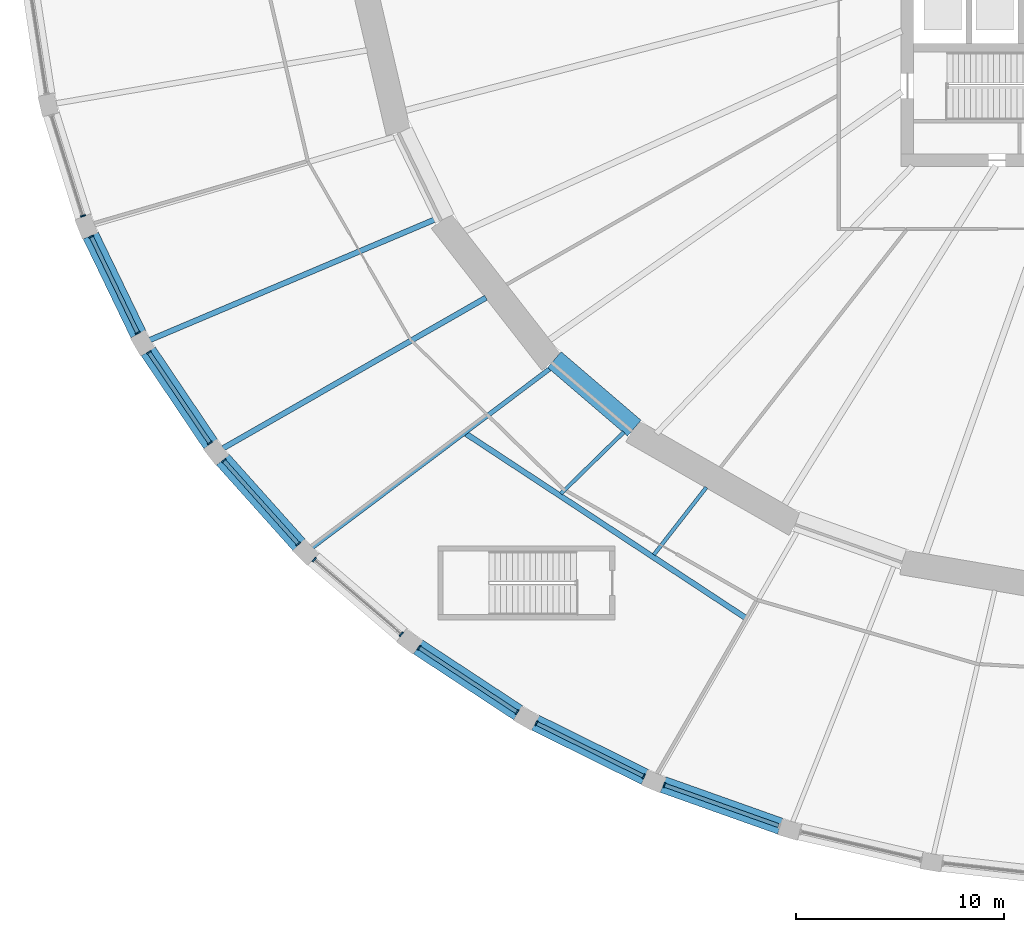
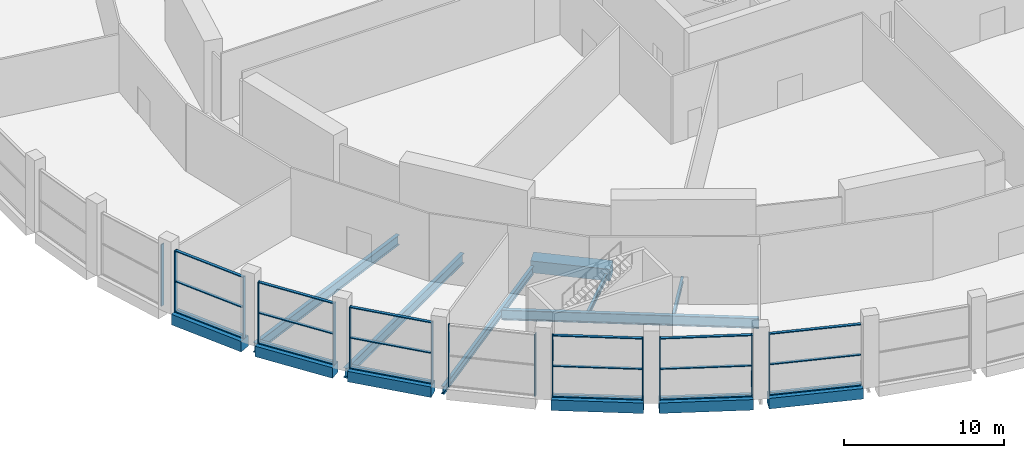
# One storey, part 2 of 29: 32 members, 13 beams, 8 elements without a shape of their own.
"""IFC4 building model written with IfcOpenShell, lengths in metres."""

from ifc_helpers import new_model, si_unit, direction, frame, origin, origin_2d, place, context, subcontext, project, spatial, rectangle, i_section, extrude, material, material_profile, profile_set, type_object, element, aggregate, save


model = new_model("IFC4")

# Units and contexts
model_context = context("Model", 3, precision=1e-05, world=origin(), true_north=direction((0.0, 1.0)))
body_context = subcontext(model_context, "Body", "Model", "MODEL_VIEW")
ifc_project = project(units=[si_unit("LENGTHUNIT", "METRE"), si_unit("AREAUNIT", "SQUARE_METRE"), si_unit("VOLUMEUNIT", "CUBIC_METRE"), si_unit("PLANEANGLEUNIT", "RADIAN"), si_unit("MASSUNIT", "GRAM", prefix="KILO")], contexts=[model_context])

# Site, building, storey
site_placement = place(None, origin())
site = spatial("IfcSite", under=ifc_project, at=site_placement, CompositionType="ELEMENT")
building_placement = place(site_placement, origin())
building = spatial("IfcBuilding", under=site, at=building_placement, Name="Halqa Exchange Tower", CompositionType="ELEMENT")
storey_placement = place(building_placement, frame((0.0, 0.0, 12.5)))
storey = spatial("IfcBuildingStorey", under=building, at=storey_placement, Name="L02", CompositionType="ELEMENT", Elevation=12.5)

# Curtain wall, member
ifc_material_1 = material(Name="Anodised aluminium and clear glass", Category="aluminium")
curtain_wall_type = type_object("IfcCurtainWallType", Name="Exchange hall glazing", PredefinedType="NOTDEFINED", material=ifc_material_1)
curtain_wall_1_placement = place(storey_placement, origin())
curtain_wall_1 = element("IfcCurtainWall", 1, at=curtain_wall_1_placement, inside=storey, type_object=curtain_wall_type, Name="Exchange hall glazing run P26", PredefinedType="NOTDEFINED")
ifc_material_2 = material(Name="Anodised aluminium", Category="aluminium")
ifc_material_profile_1 = material_profile(ifc_material_2, rectangle(XDim=0.25, YDim=0.070068359375, at=origin_2d()), Name="AL 70x250")
ifc_profile_set_1 = profile_set([ifc_material_profile_1], Name="Anodised aluminium")
member_type_1 = type_object("IfcMemberType", Name="Exchange hall glazing mullion 70 x 250", PredefinedType="MULLION", material=ifc_profile_set_1)
member_1_placement = place(storey_placement, frame((-51.293701171875, -14.3720703125, 0.0), z_axis=(0.0, 0.0, 1.0), x_axis=(0.95447130463, 0.298302746613, 0.0)))
member_1 = element("IfcMember", 2, at=member_1_placement, type_object=member_type_1, Name="P26 mullion 2", PredefinedType="MULLION", context=body_context, shape_type="SweptSolid", body=[
    extrude(rectangle(XDim=0.25, YDim=0.070068359375, at=origin_2d()), origin(), (0.0, 0.0, 1.0), 4.699951171875),
])
aggregate(curtain_wall_1, [member_1])

# Curtain wall, members
curtain_wall_2_placement = place(storey_placement, origin())
curtain_wall_2 = element("IfcCurtainWall", 3, at=curtain_wall_2_placement, inside=storey, type_object=curtain_wall_type, Name="Exchange hall glazing run P27", PredefinedType="NOTDEFINED")
member_2_placement = place(storey_placement, frame((-50.9013671875, -15.3642578125, 0.0), z_axis=(0.0, 0.0, 1.0), x_axis=(0.90043534892, 0.434989864727, 0.0)))
member_2 = element("IfcMember", 4, at=member_2_placement, type_object=member_type_1, Name="P27 mullion 1", PredefinedType="MULLION", context=body_context, shape_type="SweptSolid", body=[
    extrude(rectangle(XDim=0.25, YDim=0.070068359375, at=origin_2d()), origin(), (0.0, 0.0, 1.0), 4.699951171875),
])
member_3_placement = place(storey_placement, frame((-48.663818359375, -19.996337890625, 0.0), z_axis=(0.0, 0.0, 1.0), x_axis=(0.90043534892, 0.434989864727, 0.0)))
member_3 = element("IfcMember", 5, at=member_3_placement, type_object=member_type_1, Name="P27 mullion 2", PredefinedType="MULLION", context=body_context, shape_type="SweptSolid", body=[
    extrude(rectangle(XDim=0.25, YDim=0.070068359375, at=origin_2d()), origin(), (0.0, 0.0, 1.0), 4.699951171875),
])

curtain_wall_3_placement = place(storey_placement, origin())
curtain_wall_3 = element("IfcCurtainWall", 6, at=curtain_wall_3_placement, inside=storey, type_object=curtain_wall_type, Name="Exchange hall glazing run P28", PredefinedType="NOTDEFINED")
member_4_placement = place(storey_placement, frame((-48.13232421875, -20.921630859375, 0.0), z_axis=(0.0, 0.0, 1.0), x_axis=(0.8294895023, 0.55852230535, 0.0)))
member_4 = element("IfcMember", 7, at=member_4_placement, type_object=member_type_1, Name="P28 mullion 1", PredefinedType="MULLION", context=body_context, shape_type="SweptSolid", body=[
    extrude(rectangle(XDim=0.25, YDim=0.070068359375, at=origin_2d()), origin(), (0.0, 0.0, 1.0), 4.699951171875),
])
member_5_placement = place(storey_placement, frame((-45.1982421875, -25.279052734375, 0.0), z_axis=(0.0, 0.0, 1.0), x_axis=(0.8294895023, 0.55852230535, 0.0)))
member_5 = element("IfcMember", 8, at=member_5_placement, type_object=member_type_1, Name="P28 mullion 2", PredefinedType="MULLION", context=body_context, shape_type="SweptSolid", body=[
    extrude(rectangle(XDim=0.25, YDim=0.070068359375, at=origin_2d()), origin(), (0.0, 0.0, 1.0), 4.699951171875),
])

curtain_wall_4_placement = place(storey_placement, origin())
curtain_wall_4 = element("IfcCurtainWall", 9, at=curtain_wall_4_placement, inside=storey, type_object=curtain_wall_type, Name="Exchange hall glazing run P29", PredefinedType="NOTDEFINED")
member_6_placement = place(storey_placement, frame((-44.542724609375, -26.12158203125, 0.0), z_axis=(0.0, 0.0, 1.0), x_axis=(0.74514769466, 0.666899477539, 0.0)))
member_6 = element("IfcMember", 10, at=member_6_placement, type_object=member_type_1, Name="P29 mullion 1", PredefinedType="MULLION", context=body_context, shape_type="SweptSolid", body=[
    extrude(rectangle(XDim=0.25, YDim=0.070068359375, at=origin_2d()), origin(), (0.0, 0.0, 1.0), 4.699951171875),
])
member_7_placement = place(storey_placement, frame((-40.9560546875, -30.12890625, 0.0), z_axis=(0.0, 0.0, 1.0), x_axis=(0.74514769466, 0.666899477539, 0.0)))
member_7 = element("IfcMember", 11, at=member_7_placement, type_object=member_type_1, Name="P29 mullion 2", PredefinedType="MULLION", context=body_context, shape_type="SweptSolid", body=[
    extrude(rectangle(XDim=0.25, YDim=0.070068359375, at=origin_2d()), origin(), (0.0, 0.0, 1.0), 4.699951171875),
])

curtain_wall_5_placement = place(storey_placement, origin())
curtain_wall_5 = element("IfcCurtainWall", 12, at=curtain_wall_5_placement, inside=storey, type_object=curtain_wall_type, Name="Exchange hall glazing run P30", PredefinedType="NOTDEFINED")
member_8_placement = place(storey_placement, frame((-40.193115234375, -30.8759765625, 0.0), z_axis=(0.0, 0.0, 1.0), x_axis=(0.650910929175, 0.759154109704, 0.0)))
member_8 = element("IfcMember", 13, at=member_8_placement, type_object=member_type_1, Name="P30 mullion 1", PredefinedType="MULLION", context=body_context, shape_type="SweptSolid", body=[
    extrude(rectangle(XDim=0.25, YDim=0.070068359375, at=origin_2d()), origin(), (0.0, 0.0, 1.0), 4.699951171875),
])
member_9_placement = place(storey_placement, frame((-36.010986328125, -34.4619140625, 0.0), z_axis=(0.0, 0.0, 1.0), x_axis=(0.650910929175, 0.759154109704, 0.0)))
member_9 = element("IfcMember", 14, at=member_9_placement, type_object=member_type_1, Name="P30 mullion 2", PredefinedType="MULLION", context=body_context, shape_type="SweptSolid", body=[
    extrude(rectangle(XDim=0.25, YDim=0.070068359375, at=origin_2d()), origin(), (0.0, 0.0, 1.0), 4.699951171875),
])
aggregate(curtain_wall_5, [member_8, member_9])

curtain_wall_6_placement = place(storey_placement, origin())
curtain_wall_6 = element("IfcCurtainWall", 15, at=curtain_wall_6_placement, inside=storey, type_object=curtain_wall_type, Name="Exchange hall glazing run P31", PredefinedType="NOTDEFINED")
member_10_placement = place(storey_placement, frame((-35.15771484375, -35.104248046875, 0.0), z_axis=(0.0, 0.0, 1.0), x_axis=(0.549620040919, 0.835414753652, 0.0)))
member_10 = element("IfcMember", 16, at=member_10_placement, type_object=member_type_1, Name="P31 mullion 1", PredefinedType="MULLION", context=body_context, shape_type="SweptSolid", body=[
    extrude(rectangle(XDim=0.25, YDim=0.070068359375, at=origin_2d()), origin(), (0.0, 0.0, 1.0), 4.699951171875),
])
member_11_placement = place(storey_placement, frame((-30.44775390625, -38.202880859375, 0.0), z_axis=(0.0, 0.0, 1.0), x_axis=(0.549620040919, 0.835414753652, 0.0)))
member_11 = element("IfcMember", 17, at=member_11_placement, type_object=member_type_1, Name="P31 mullion 2", PredefinedType="MULLION", context=body_context, shape_type="SweptSolid", body=[
    extrude(rectangle(XDim=0.25, YDim=0.070068359375, at=origin_2d()), origin(), (0.0, 0.0, 1.0), 4.699951171875),
])

curtain_wall_7_placement = place(storey_placement, origin())
curtain_wall_7 = element("IfcCurtainWall", 18, at=curtain_wall_7_placement, inside=storey, type_object=curtain_wall_type, Name="Exchange hall glazing run P32", PredefinedType="NOTDEFINED")
member_12_placement = place(storey_placement, frame((-29.521240234375, -38.734375, 0.0), z_axis=(0.0, 0.0, 1.0), x_axis=(0.443653417058, 0.896198440934, 0.0)))
member_12 = element("IfcMember", 19, at=member_12_placement, type_object=member_type_1, Name="P32 mullion 1", PredefinedType="MULLION", context=body_context, shape_type="SweptSolid", body=[
    extrude(rectangle(XDim=0.25, YDim=0.070068359375, at=origin_2d()), origin(), (0.0, 0.0, 1.0), 4.699951171875),
])
member_13_placement = place(storey_placement, frame((-24.363037109375, -41.287841796875, 0.0), z_axis=(0.0, 0.0, 1.0), x_axis=(0.443653417058, 0.896198440934, 0.0)))
member_13 = element("IfcMember", 20, at=member_13_placement, type_object=member_type_1, Name="P32 mullion 2", PredefinedType="MULLION", context=body_context, shape_type="SweptSolid", body=[
    extrude(rectangle(XDim=0.25, YDim=0.070068359375, at=origin_2d()), origin(), (0.0, 0.0, 1.0), 4.699951171875),
])

# Curtain wall, member
curtain_wall_8_placement = place(storey_placement, origin())
curtain_wall_8 = element("IfcCurtainWall", 21, at=curtain_wall_8_placement, inside=storey, type_object=curtain_wall_type, Name="Exchange hall glazing run P33", PredefinedType="NOTDEFINED")
member_14_placement = place(storey_placement, frame((-23.37939453125, -41.7041015625, 0.0), z_axis=(0.0, 0.0, 1.0), x_axis=(0.334688348326, 0.942328875444, 0.0)))
member_14 = element("IfcMember", 22, at=member_14_placement, type_object=member_type_1, Name="P33 mullion 1", PredefinedType="MULLION", context=body_context, shape_type="SweptSolid", body=[
    extrude(rectangle(XDim=0.25, YDim=0.070068359375, at=origin_2d()), origin(), (0.0, 0.0, 1.0), 4.699951171875),
])

# Member
ifc_material_profile_2 = material_profile(ifc_material_2, rectangle(XDim=0.199951171875, YDim=0.070068359375, at=origin_2d()), Name="AL 70x200")
ifc_profile_set_2 = profile_set([ifc_material_profile_2], Name="Anodised aluminium")
member_type_2 = type_object("IfcMemberType", Name="Exchange hall glazing transom 70 x 200", PredefinedType="USERDEFINED", material=ifc_profile_set_2)
member_15_placement = place(storey_placement, frame((-50.88623046875, -15.395751953125, 0.034912109375), z_axis=(0.434989893806, -0.900435334872, 0.0), x_axis=(0.900435334872, 0.434989893806, 0.0)))
member_15 = element("IfcMember", 23, at=member_15_placement, type_object=member_type_2, Name="P27 transom 1.1", ObjectType="TRANSOM", PredefinedType="USERDEFINED", context=body_context, shape_type="SweptSolid", body=[
    extrude(rectangle(XDim=0.199951171875, YDim=0.070068359375, at=origin_2d()), origin(), (0.0, 0.0, 1.0), 5.07421875),
])

member_16_placement = place(storey_placement, frame((-50.88623046875, -15.395751953125, 2.35009765625), z_axis=(0.434989893806, -0.900435334872, 0.0), x_axis=(0.900435334872, 0.434989893806, 0.0)))
member_16 = element("IfcMember", 24, at=member_16_placement, type_object=member_type_2, Name="P27 transom 1.2", ObjectType="TRANSOM", PredefinedType="USERDEFINED", context=body_context, shape_type="SweptSolid", body=[
    extrude(rectangle(XDim=0.199951171875, YDim=0.070068359375, at=origin_2d()), origin(), (0.0, 0.0, 1.0), 5.07421875),
])

member_17_placement = place(storey_placement, frame((-50.88623046875, -15.395751953125, 4.6650390625), z_axis=(0.434989893806, -0.900435334872, 0.0), x_axis=(0.900435334872, 0.434989893806, 0.0)))
member_17 = element("IfcMember", 25, at=member_17_placement, type_object=member_type_2, Name="P27 transom 1.3", ObjectType="TRANSOM", PredefinedType="USERDEFINED", context=body_context, shape_type="SweptSolid", body=[
    extrude(rectangle(XDim=0.199951171875, YDim=0.070068359375, at=origin_2d()), origin(), (0.0, 0.0, 1.0), 5.07421875),
])

aggregate(curtain_wall_2, [member_2, member_3, member_15, member_16, member_17])

member_18_placement = place(storey_placement, frame((-48.11279296875, -20.95068359375, 0.034912109375), z_axis=(0.558520359636, -0.82949081241, 0.0), x_axis=(0.82949081241, 0.558520359636, 0.0)))
member_18 = element("IfcMember", 26, at=member_18_placement, type_object=member_type_2, Name="P28 transom 1.1", ObjectType="TRANSOM", PredefinedType="USERDEFINED", context=body_context, shape_type="SweptSolid", body=[
    extrude(rectangle(XDim=0.199951171875, YDim=0.070068359375, at=origin_2d()), origin(), (0.0, 0.0, 1.0), 5.183349609375),
])

member_19_placement = place(storey_placement, frame((-48.11279296875, -20.95068359375, 2.35009765625), z_axis=(0.558520359636, -0.82949081241, 0.0), x_axis=(0.82949081241, 0.558520359636, 0.0)))
member_19 = element("IfcMember", 27, at=member_19_placement, type_object=member_type_2, Name="P28 transom 1.2", ObjectType="TRANSOM", PredefinedType="USERDEFINED", context=body_context, shape_type="SweptSolid", body=[
    extrude(rectangle(XDim=0.199951171875, YDim=0.070068359375, at=origin_2d()), origin(), (0.0, 0.0, 1.0), 5.183349609375),
])

member_20_placement = place(storey_placement, frame((-48.11279296875, -20.95068359375, 4.6650390625), z_axis=(0.558520359636, -0.82949081241, 0.0), x_axis=(0.82949081241, 0.558520359636, 0.0)))
member_20 = element("IfcMember", 28, at=member_20_placement, type_object=member_type_2, Name="P28 transom 1.3", ObjectType="TRANSOM", PredefinedType="USERDEFINED", context=body_context, shape_type="SweptSolid", body=[
    extrude(rectangle(XDim=0.199951171875, YDim=0.070068359375, at=origin_2d()), origin(), (0.0, 0.0, 1.0), 5.183349609375),
])

aggregate(curtain_wall_3, [member_4, member_5, member_18, member_19, member_20])

member_21_placement = place(storey_placement, frame((-44.519287109375, -26.147705078125, 0.034912109375), z_axis=(0.666880900978, -0.745164320074, 0.0), x_axis=(0.745164320074, 0.666880900978, 0.0)))
member_21 = element("IfcMember", 29, at=member_21_placement, type_object=member_type_2, Name="P29 transom 1.1", ObjectType="TRANSOM", PredefinedType="USERDEFINED", context=body_context, shape_type="SweptSolid", body=[
    extrude(rectangle(XDim=0.199951171875, YDim=0.070068359375, at=origin_2d()), origin(), (0.0, 0.0, 1.0), 5.30810546875),
])

member_22_placement = place(storey_placement, frame((-44.519287109375, -26.147705078125, 2.35009765625), z_axis=(0.666880900978, -0.745164320074, 0.0), x_axis=(0.745164320074, 0.666880900978, 0.0)))
member_22 = element("IfcMember", 30, at=member_22_placement, type_object=member_type_2, Name="P29 transom 1.2", ObjectType="TRANSOM", PredefinedType="USERDEFINED", context=body_context, shape_type="SweptSolid", body=[
    extrude(rectangle(XDim=0.199951171875, YDim=0.070068359375, at=origin_2d()), origin(), (0.0, 0.0, 1.0), 5.30810546875),
])

member_23_placement = place(storey_placement, frame((-44.519287109375, -26.147705078125, 4.6650390625), z_axis=(0.666880900978, -0.745164320074, 0.0), x_axis=(0.745164320074, 0.666880900978, 0.0)))
member_23 = element("IfcMember", 31, at=member_23_placement, type_object=member_type_2, Name="P29 transom 1.3", ObjectType="TRANSOM", PredefinedType="USERDEFINED", context=body_context, shape_type="SweptSolid", body=[
    extrude(rectangle(XDim=0.199951171875, YDim=0.070068359375, at=origin_2d()), origin(), (0.0, 0.0, 1.0), 5.30810546875),
])

aggregate(curtain_wall_4, [member_6, member_7, member_21, member_22, member_23])

member_24_placement = place(storey_placement, frame((-35.12841796875, -35.12353515625, 0.034912109375), z_axis=(0.835401187087, -0.549640661355, 0.0), x_axis=(0.549640661355, 0.835401187087, 0.0)))
member_24 = element("IfcMember", 32, at=member_24_placement, type_object=member_type_2, Name="P31 transom 1.1", ObjectType="TRANSOM", PredefinedType="USERDEFINED", context=body_context, shape_type="SweptSolid", body=[
    extrude(rectangle(XDim=0.199951171875, YDim=0.070068359375, at=origin_2d()), origin(), (0.0, 0.0, 1.0), 5.56787109375),
])

member_25_placement = place(storey_placement, frame((-35.12841796875, -35.12353515625, 2.35009765625), z_axis=(0.835401187087, -0.549640661355, 0.0), x_axis=(0.549640661355, 0.835401187087, 0.0)))
member_25 = element("IfcMember", 33, at=member_25_placement, type_object=member_type_2, Name="P31 transom 1.2", ObjectType="TRANSOM", PredefinedType="USERDEFINED", context=body_context, shape_type="SweptSolid", body=[
    extrude(rectangle(XDim=0.199951171875, YDim=0.070068359375, at=origin_2d()), origin(), (0.0, 0.0, 1.0), 5.56787109375),
])

member_26_placement = place(storey_placement, frame((-35.12841796875, -35.12353515625, 4.6650390625), z_axis=(0.835401187087, -0.549640661355, 0.0), x_axis=(0.549640661355, 0.835401187087, 0.0)))
member_26 = element("IfcMember", 34, at=member_26_placement, type_object=member_type_2, Name="P31 transom 1.3", ObjectType="TRANSOM", PredefinedType="USERDEFINED", context=body_context, shape_type="SweptSolid", body=[
    extrude(rectangle(XDim=0.199951171875, YDim=0.070068359375, at=origin_2d()), origin(), (0.0, 0.0, 1.0), 5.56787109375),
])

aggregate(curtain_wall_6, [member_10, member_11, member_24, member_25, member_26])

member_27_placement = place(storey_placement, frame((-29.489990234375, -38.749755859375, 0.034912109375), z_axis=(0.89618076134, -0.443689128788, 0.0), x_axis=(0.443689128788, 0.89618076134, 0.0)))
member_27 = element("IfcMember", 35, at=member_27_placement, type_object=member_type_2, Name="P32 transom 1.1", ObjectType="TRANSOM", PredefinedType="USERDEFINED", context=body_context, shape_type="SweptSolid", body=[
    extrude(rectangle(XDim=0.199951171875, YDim=0.070068359375, at=origin_2d()), origin(), (0.0, 0.0, 1.0), 5.685791015625),
])

member_28_placement = place(storey_placement, frame((-29.489990234375, -38.749755859375, 2.35009765625), z_axis=(0.89618076134, -0.443689128788, 0.0), x_axis=(0.443689128788, 0.89618076134, 0.0)))
member_28 = element("IfcMember", 36, at=member_28_placement, type_object=member_type_2, Name="P32 transom 1.2", ObjectType="TRANSOM", PredefinedType="USERDEFINED", context=body_context, shape_type="SweptSolid", body=[
    extrude(rectangle(XDim=0.199951171875, YDim=0.070068359375, at=origin_2d()), origin(), (0.0, 0.0, 1.0), 5.685791015625),
])

member_29_placement = place(storey_placement, frame((-29.489990234375, -38.749755859375, 4.6650390625), z_axis=(0.89618076134, -0.443689128788, 0.0), x_axis=(0.443689128788, 0.89618076134, 0.0)))
member_29 = element("IfcMember", 37, at=member_29_placement, type_object=member_type_2, Name="P32 transom 1.3", ObjectType="TRANSOM", PredefinedType="USERDEFINED", context=body_context, shape_type="SweptSolid", body=[
    extrude(rectangle(XDim=0.199951171875, YDim=0.070068359375, at=origin_2d()), origin(), (0.0, 0.0, 1.0), 5.685791015625),
])

aggregate(curtain_wall_7, [member_12, member_13, member_27, member_28, member_29])

member_30_placement = place(storey_placement, frame((-23.346435546875, -41.7158203125, 0.034912109375), z_axis=(0.942328600126, -0.334689123493, 0.0), x_axis=(0.334689123493, 0.942328600126, 0.0)))
member_30 = element("IfcMember", 38, at=member_30_placement, type_object=member_type_2, Name="P33 transom 1.1", ObjectType="TRANSOM", PredefinedType="USERDEFINED", context=body_context, shape_type="SweptSolid", body=[
    extrude(rectangle(XDim=0.199951171875, YDim=0.070068359375, at=origin_2d()), origin(), (0.0, 0.0, 1.0), 5.785400390625),
])

member_31_placement = place(storey_placement, frame((-23.346435546875, -41.7158203125, 2.35009765625), z_axis=(0.942328600126, -0.334689123493, 0.0), x_axis=(0.334689123493, 0.942328600126, 0.0)))
member_31 = element("IfcMember", 39, at=member_31_placement, type_object=member_type_2, Name="P33 transom 1.2", ObjectType="TRANSOM", PredefinedType="USERDEFINED", context=body_context, shape_type="SweptSolid", body=[
    extrude(rectangle(XDim=0.199951171875, YDim=0.070068359375, at=origin_2d()), origin(), (0.0, 0.0, 1.0), 5.785400390625),
])

member_32_placement = place(storey_placement, frame((-23.346435546875, -41.7158203125, 4.6650390625), z_axis=(0.942328600126, -0.334689123493, 0.0), x_axis=(0.334689123493, 0.942328600126, 0.0)))
member_32 = element("IfcMember", 40, at=member_32_placement, type_object=member_type_2, Name="P33 transom 1.3", ObjectType="TRANSOM", PredefinedType="USERDEFINED", context=body_context, shape_type="SweptSolid", body=[
    extrude(rectangle(XDim=0.199951171875, YDim=0.070068359375, at=origin_2d()), origin(), (0.0, 0.0, 1.0), 5.785400390625),
])

aggregate(curtain_wall_8, [member_14, member_30, member_31, member_32])

# Beams
ifc_material_3 = material(Name="Steel S355", Category="steel")
ifc_material_profile_3 = material_profile(ifc_material_3, i_section(OverallWidth=0.179931640625, OverallDepth=0.39990234375, WebThickness=0.008544921875, FlangeThickness=0.013427734375, FilletRadius=0.02099609375, at=origin_2d()), Name="IPE 400")
ifc_profile_set_3 = profile_set([ifc_material_profile_3], Name="Steel S355")
beam_type_1 = type_object("IfcBeamType", Name="Floor beam IPE 400", PredefinedType="BEAM", material=ifc_profile_set_3)
beam_1_placement = place(storey_placement, frame((-25.322265625, -24.757080078125, -0.550048828125), z_axis=(-0.715007310884, -0.699116975464, 0.0), x_axis=(0.699116975464, -0.715007310884, 0.0)))
element("IfcBeam", 41, at=beam_1_placement, inside=storey, type_object=beam_type_1, Name="Radial beam 31a", PredefinedType="BEAM", context=body_context, shape_type="SweptSolid", body=[
    extrude(i_section(OverallWidth=0.179931640625, OverallDepth=0.39990234375, WebThickness=0.008544921875, FlangeThickness=0.013427734375, FilletRadius=0.02099609375, at=origin_2d()), origin(), (0.0, 0.0, 1.0), 4.22509765625),
])
beam_2_placement = place(storey_placement, frame((-21.3603515625, -27.40966796875, -0.550048828125), z_axis=(-0.614706293657, -0.788756091919, 0.0), x_axis=(0.788756091919, -0.614706293657, 0.0)))
element("IfcBeam", 42, at=beam_2_placement, inside=storey, type_object=beam_type_1, Name="Radial beam 32a", PredefinedType="BEAM", context=body_context, shape_type="SweptSolid", body=[
    extrude(i_section(OverallWidth=0.179931640625, OverallDepth=0.39990234375, WebThickness=0.008544921875, FlangeThickness=0.013427734375, FilletRadius=0.02099609375, at=origin_2d()), origin(), (0.0, 0.0, 1.0), 4.104248046875),
])
ifc_material_profile_4 = material_profile(ifc_material_3, i_section(OverallWidth=0.219970703125, OverallDepth=0.60009765625, WebThickness=0.011962890625, FlangeThickness=0.01904296875, FilletRadius=0.02392578125, at=origin_2d()), Name="IPE 600")
ifc_profile_set_4 = profile_set([ifc_material_profile_4], Name="Steel S355")
beam_type_2 = type_object("IfcBeamType", Name="Floor beam IPE 600", PredefinedType="BEAM", material=ifc_profile_set_4)
beam_3_placement = place(storey_placement, frame((-28.875732421875, -21.71240234375, -0.64990234375), z_axis=(-0.799257291391, -0.600989003359, 0.0), x_axis=(0.600989003359, -0.799257291391, 0.0)))
element("IfcBeam", 43, at=beam_3_placement, inside=storey, type_object=beam_type_2, Name="Radial beam 30", PredefinedType="BEAM", context=body_context, shape_type="SweptSolid", body=[
    extrude(i_section(OverallWidth=0.219970703125, OverallDepth=0.60009765625, WebThickness=0.011962890625, FlangeThickness=0.01904296875, FilletRadius=0.02392578125, at=origin_2d()), origin(), (0.0, 0.0, 1.0), 14.291259765625),
])
ifc_material_profile_5 = material_profile(ifc_material_3, i_section(OverallWidth=0.264892578125, OverallDepth=0.7529296875, WebThickness=0.01318359375, FlangeThickness=0.01708984375, FilletRadius=0.01708984375, at=origin_2d()), Name="IPE 750x147")
ifc_profile_set_5 = profile_set([ifc_material_profile_5], Name="Steel S355")
beam_type_3 = type_object("IfcBeamType", Name="Floor beam IPE 750x147", PredefinedType="BEAM", material=ifc_profile_set_5)
beam_4_placement = place(storey_placement, frame((-34.423583984375, -14.555419921875, -0.7265625), z_axis=(-0.921054684963, -0.389433264254, 0.0), x_axis=(0.389433264254, -0.921054684963, 0.0)))
element("IfcBeam", 44, at=beam_4_placement, inside=storey, type_object=beam_type_3, Name="Radial beam 28", PredefinedType="BEAM", context=body_context, shape_type="SweptSolid", body=[
    extrude(i_section(OverallWidth=0.264892578125, OverallDepth=0.7529296875, WebThickness=0.01318359375, FlangeThickness=0.01708984375, FilletRadius=0.01708984375, at=origin_2d()), origin(), (0.0, 0.0, 1.0), 14.83349609375),
])
beam_5_placement = place(storey_placement, frame((-31.942626953125, -18.300048828125, -0.7265625), z_axis=(-0.867691436398, -0.497103179633, 0.0), x_axis=(0.497103179633, -0.867691436398, 0.0)))
element("IfcBeam", 45, at=beam_5_placement, inside=storey, type_object=beam_type_3, Name="Radial beam 29", PredefinedType="BEAM", context=body_context, shape_type="SweptSolid", body=[
    extrude(i_section(OverallWidth=0.264892578125, OverallDepth=0.7529296875, WebThickness=0.01318359375, FlangeThickness=0.01708984375, FilletRadius=0.01708984375, at=origin_2d()), origin(), (0.0, 0.0, 1.0), 14.555908203125),
])
ifc_material_profile_6 = material_profile(ifc_material_3, i_section(OverallWidth=0.26806640625, OverallDepth=0.77001953125, WebThickness=0.015625, FlangeThickness=0.025390625, FilletRadius=0.01708984375, at=origin_2d()), Name="IPE 750x196")
ifc_profile_set_6 = profile_set([ifc_material_profile_6], Name="Steel S355")
beam_type_4 = type_object("IfcBeamType", Name="Floor beam IPE 750x196", PredefinedType="BEAM", material=ifc_profile_set_6)
beam_6_placement = place(storey_placement, frame((-32.896728515625, -24.839599609375, -0.735107421875), z_axis=(0.835204203593, -0.54993994063, 0.0), x_axis=(0.54993994063, 0.835204203593, 0.0)))
element("IfcBeam", 46, at=beam_6_placement, inside=storey, type_object=beam_type_4, Name="Radial beam TPS4-in", PredefinedType="BEAM", context=body_context, shape_type="SweptSolid", body=[
    extrude(i_section(OverallWidth=0.26806640625, OverallDepth=0.77001953125, WebThickness=0.015625, FlangeThickness=0.025390625, FilletRadius=0.01708984375, at=origin_2d()), origin(), (0.0, 0.0, 1.0), 16.07958984375),
])
ifc_material_4 = material(Name="Concrete C60/75", Category="concrete")
ifc_material_profile_7 = material_profile(ifc_material_4, rectangle(XDim=0.800048828125, YDim=0.800048828125, at=origin_2d()), Name="800 x 800")
ifc_profile_set_7 = profile_set([ifc_material_profile_7], Name="Concrete C60/75")
beam_type_5 = type_object("IfcBeamType", Name="RC podium edge beam 800 x 800 C60/75", PredefinedType="SPANDREL", material=ifc_profile_set_7)
beam_7_placement = place(storey_placement, frame((-50.92822265625, -15.308837890625, -0.39990234375), z_axis=(0.43497328232, -0.9004433595, 0.0), x_axis=(0.9004433595, 0.43497328232, 0.0)))
element("IfcBeam", 47, at=beam_7_placement, inside=storey, type_object=beam_type_5, Name="Podium edge beam 27", PredefinedType="SPANDREL", context=body_context, shape_type="SweptSolid", body=[
    extrude(rectangle(XDim=0.800048828125, YDim=0.800048828125, at=origin_2d()), origin(), (0.0, 0.0, 1.0), 5.267578125),
])
beam_8_placement = place(storey_placement, frame((-48.1669921875, -20.8701171875, -0.39990234375), z_axis=(0.558528358221, -0.829485426673, 0.0), x_axis=(0.829485426673, 0.558528358221, 0.0)))
element("IfcBeam", 48, at=beam_8_placement, inside=storey, type_object=beam_type_5, Name="Podium edge beam 28", PredefinedType="SPANDREL", context=body_context, shape_type="SweptSolid", body=[
    extrude(rectangle(XDim=0.800048828125, YDim=0.800048828125, at=origin_2d()), origin(), (0.0, 0.0, 1.0), 5.378173828125),
])
beam_9_placement = place(storey_placement, frame((-44.58349609375, -26.075927734375, -0.39990234375), z_axis=(0.666902525907, -0.745144966392, 0.0), x_axis=(0.745144966392, 0.666902525907, 0.0)))
element("IfcBeam", 49, at=beam_9_placement, inside=storey, type_object=beam_type_5, Name="Podium edge beam 29", PredefinedType="SPANDREL", context=body_context, shape_type="SweptSolid", body=[
    extrude(rectangle(XDim=0.800048828125, YDim=0.800048828125, at=origin_2d()), origin(), (0.0, 0.0, 1.0), 5.501220703125),
])
beam_10_placement = place(storey_placement, frame((-35.208984375, -35.070556640625, -0.39990234375), z_axis=(0.835418618456, -0.549614166426, 0.0), x_axis=(0.549614166426, 0.835418618456, 0.0)))
element("IfcBeam", 50, at=beam_10_placement, inside=storey, type_object=beam_type_5, Name="Podium edge beam 31", PredefinedType="SPANDREL", context=body_context, shape_type="SweptSolid", body=[
    extrude(rectangle(XDim=0.800048828125, YDim=0.800048828125, at=origin_2d()), origin(), (0.0, 0.0, 1.0), 5.760986328125),
])
beam_11_placement = place(storey_placement, frame((-29.576904296875, -38.706787109375, -0.39990234375), z_axis=(0.896205416004, -0.443639326847, 0.0), x_axis=(0.443639326847, 0.896205416004, 0.0)))
element("IfcBeam", 51, at=beam_11_placement, inside=storey, type_object=beam_type_5, Name="Podium edge beam 32", PredefinedType="SPANDREL", context=body_context, shape_type="SweptSolid", body=[
    extrude(rectangle(XDim=0.800048828125, YDim=0.800048828125, at=origin_2d()), origin(), (0.0, 0.0, 1.0), 5.880126953125),
])
beam_12_placement = place(storey_placement, frame((-23.4384765625, -41.683349609375, -0.39990234375), z_axis=(0.942343471221, -0.334647250469, 0.0), x_axis=(0.334647250469, 0.942343471221, 0.0)))
element("IfcBeam", 52, at=beam_12_placement, inside=storey, type_object=beam_type_5, Name="Podium edge beam 33", PredefinedType="SPANDREL", context=body_context, shape_type="SweptSolid", body=[
    extrude(rectangle(XDim=0.800048828125, YDim=0.800048828125, at=origin_2d()), origin(), (0.0, 0.0, 1.0), 5.980712890625),
])
ifc_material_profile_8 = material_profile(ifc_material_4, rectangle(XDim=1.0, YDim=0.89990234375, at=origin_2d()), Name="1000 x 900")
ifc_profile_set_8 = profile_set([ifc_material_profile_8], Name="Concrete C60/75")
beam_type_6 = type_object("IfcBeamType", Name="RC spandrel beam 1000 x 900 C60/75", PredefinedType="SPANDREL", material=ifc_profile_set_8)
beam_13_placement = place(storey_placement, frame((-28.659423828125, -21.27587890625, -0.449951171875), z_axis=(0.759263417999, -0.650783421799, 0.0), x_axis=(0.650783421799, 0.759263417999, 0.0)))
element("IfcBeam", 53, at=beam_13_placement, inside=storey, type_object=beam_type_6, Name="Spandrel 20", PredefinedType="SPANDREL", context=body_context, shape_type="SweptSolid", body=[
    extrude(rectangle(XDim=1.0, YDim=0.89990234375, at=origin_2d()), origin(), (0.0, 0.0, 1.0), 5.056884765625),
])

save(model, "model.ifc")
